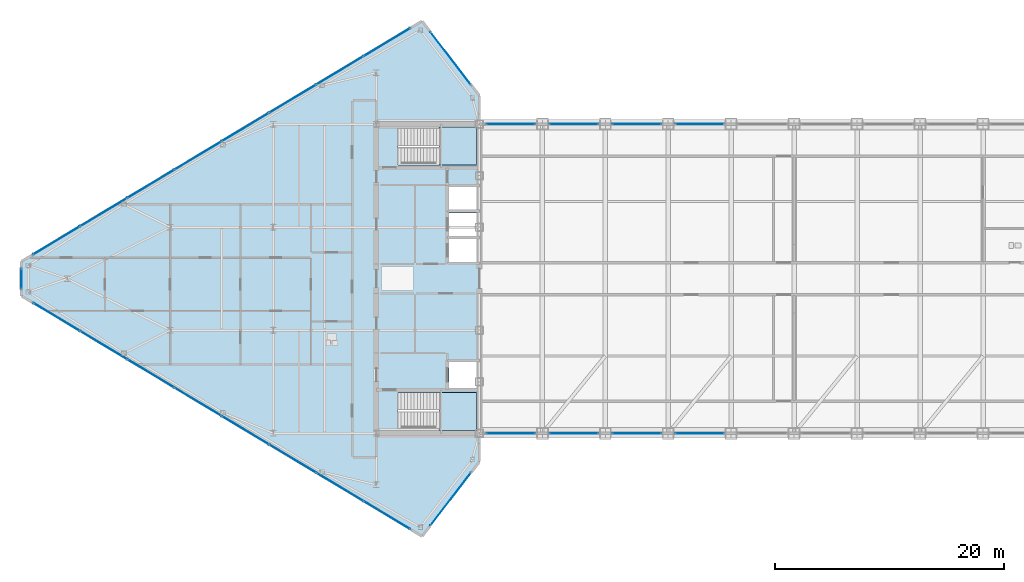
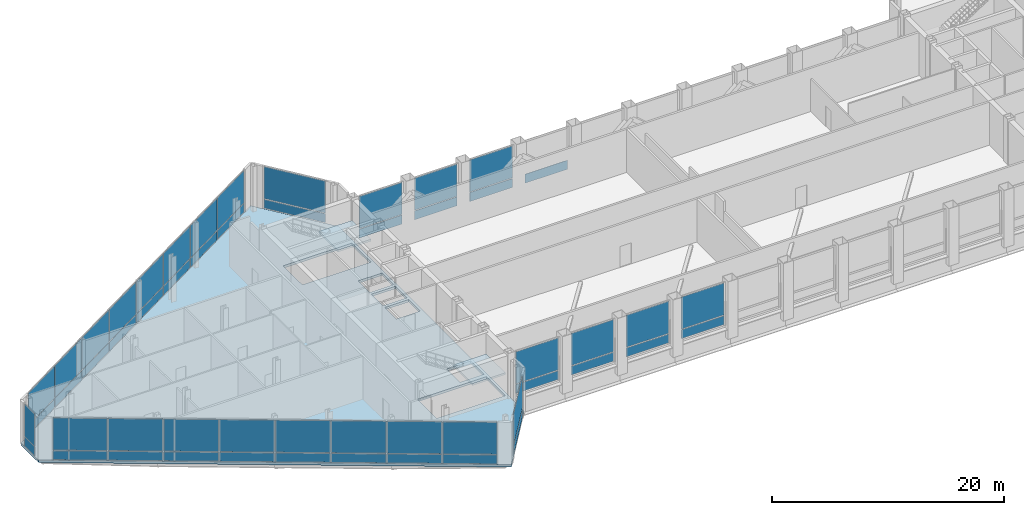
# One storey, part 19 of 29: 53 plates, 3 slabs, 15 elements without a shape of their own.
"""IFC4 building model written with IfcOpenShell, lengths in metres."""

from ifc_helpers import new_model, si_unit, direction, frame, origin, origin_2d, place, context, subcontext, project, spatial, polyline, rectangle, outline, extrude, source, transform, mapped, material, layer, layer_set, type_object, type_shapes, element, aggregate, save


model = new_model("IFC4")

# Units and contexts
model_context = context("Model", 3, precision=1e-05, world=origin(), true_north=direction((0.0, 1.0)))
body_context = subcontext(model_context, "Body", "Model", "MODEL_VIEW")
ifc_project = project(units=[si_unit("LENGTHUNIT", "METRE"), si_unit("AREAUNIT", "SQUARE_METRE"), si_unit("VOLUMEUNIT", "CUBIC_METRE"), si_unit("PLANEANGLEUNIT", "RADIAN"), si_unit("MASSUNIT", "GRAM", prefix="KILO")], contexts=[model_context])

# Site, building, storey
site_placement = place(None, origin())
site = spatial("IfcSite", under=ifc_project, at=site_placement, CompositionType="ELEMENT")
building_placement = place(site_placement, origin())
building = spatial("IfcBuilding", under=site, at=building_placement, Name="Seokmaru Belvedere", CompositionType="ELEMENT")
storey_placement = place(building_placement, frame((0.0, 0.0, 229.800048828125)))
storey = spatial("IfcBuildingStorey", under=building, at=storey_placement, Name="L61", CompositionType="ELEMENT", Elevation=229.800048828125)

# Slab
ifc_material_1 = material(Name="Concrete C50 (50 MPa)", Category="concrete")
ifc_layer_1 = layer(ifc_material_1, 0.260009765625)
ifc_layer_set_1 = layer_set([ifc_layer_1], Name="Concrete C50 (50 MPa)")
slab_type_1 = type_object("IfcSlabType", Name="Refuge and Sky-Gate Heavy Floor Slab 260", PredefinedType="FLOOR", material=ifc_layer_set_1)
slab_1_placement = place(storey_placement, frame((0.0, 0.0, -0.260009765625)))
element("IfcSlab", 1, at=slab_1_placement, inside=storey, type_object=slab_type_1, Name="L61 West Leg Floor Slab", PredefinedType="FLOOR", context=body_context, shape_type="SweptSolid", body=[
    extrude(outline(polyline([(-27.5, -16.0), (-27.5, 16.0), (-32.5, 22.5), (-67.5, 1.5), (-67.5, -1.5), (-32.5, -22.5), (-27.5, -16.0)]), holes=[polyline([(-34.60009765625, -13.25), (-27.75, -13.25), (-27.75, -9.949951171875), (-34.60009765625, -9.949951171875), (-34.60009765625, -13.25)]), polyline([(-34.60009765625, 9.949951171875), (-27.75, 9.949951171875), (-27.75, 13.25), (-34.60009765625, 13.25), (-34.60009765625, 9.949951171875)]), polyline([(-30.14990234375, -9.550048828125), (-27.75, -9.550048828125), (-27.75, -7.25), (-30.14990234375, -7.25), (-30.14990234375, -9.550048828125)]), polyline([(-30.14990234375, 1.449951171875), (-27.75, 1.449951171875), (-27.75, 3.449951171875), (-30.14990234375, 3.449951171875), (-30.14990234375, 1.449951171875)]), polyline([(-30.14990234375, 3.75), (-27.75, 3.75), (-27.75, 5.75), (-30.14990234375, 5.75), (-30.14990234375, 3.75)]), polyline([(-30.14990234375, 6.050048828125), (-27.75, 6.050048828125), (-27.75, 8.050048828125), (-30.14990234375, 8.050048828125), (-30.14990234375, 6.050048828125)])]), origin(), (0.0, 0.0, 1.0), 0.260009765625),
])

# Stair, slab
ifc_material_2 = material(Name="Concrete C40 (40 MPa)", Category="concrete")
stair_type = type_object("IfcStairType", Name="Basement Core Dog-Leg Stair 4800", PredefinedType="TWO_STRAIGHT_RUN_STAIR", material=ifc_material_2)
stair_1_placement = place(storey_placement, origin())
stair_1 = element("IfcStair", 2, at=stair_1_placement, inside=storey, type_object=stair_type, Name="L61 Special Escape Stair ST-W1", PredefinedType="TWO_STRAIGHT_RUN_STAIR")
ifc_layer_2 = layer(ifc_material_2, 0.199951171875)
ifc_layer_set_2 = layer_set([ifc_layer_2], Name="Concrete C40 (40 MPa)")
slab_type_2 = type_object("IfcSlabType", Name="Reinforced Concrete Stair Landing Slab 200", PredefinedType="LANDING", material=ifc_layer_set_2)
slab_2_placement = place(storey_placement, frame((0.0, 0.0, 2.199951171875)))
slab_2 = element("IfcSlab", 3, at=slab_2_placement, type_object=slab_type_2, Name="ST-W1 landing 1", PredefinedType="LANDING", context=body_context, shape_type="SweptSolid", body=[
    extrude(outline(polyline([(-31.0400390625, -13.239990234375), (-27.760009765625, -13.239990234375), (-27.760009765625, -9.949951171875), (-31.0400390625, -9.949951171875), (-31.0400390625, -13.239990234375)])), origin(), (0.0, 0.0, 1.0), 0.199951171875),
])
aggregate(stair_1, [slab_2])

stair_2_placement = place(storey_placement, origin())
stair_2 = element("IfcStair", 4, at=stair_2_placement, inside=storey, type_object=stair_type, Name="L61 Special Escape Stair ST-W2", PredefinedType="TWO_STRAIGHT_RUN_STAIR")
slab_3_placement = place(storey_placement, frame((0.0, 0.0, 2.199951171875)))
slab_3 = element("IfcSlab", 5, at=slab_3_placement, type_object=slab_type_2, Name="ST-W2 landing 1", PredefinedType="LANDING", context=body_context, shape_type="SweptSolid", body=[
    extrude(outline(polyline([(-31.0400390625, 9.949951171875), (-27.760009765625, 9.949951171875), (-27.760009765625, 13.239990234375), (-31.0400390625, 13.239990234375), (-31.0400390625, 9.949951171875)])), origin(), (0.0, 0.0, 1.0), 0.199951171875),
])
aggregate(stair_2, [slab_3])

# Curtain wall, plate
ifc_material_3 = material(Name="Bronze Triple Insulating Glass", Category="glass")
ifc_layer_3 = layer(ifc_material_3, 0.219970703125)
ifc_layer_set_3 = layer_set([ifc_layer_3], Name="Bronze Triple Insulating Glass")
curtain_wall_type = type_object("IfcCurtainWallType", Name="Sky-Gate Bridge Panorama Curtain Wall System CW-6", PredefinedType="NOTDEFINED", material=ifc_layer_set_3)
curtain_wall_1_placement = place(storey_placement, origin())
curtain_wall_1 = element("IfcCurtainWall", 6, at=curtain_wall_1_placement, inside=storey, type_object=curtain_wall_type, Name="L61 Curtain Wall WF2", PredefinedType="NOTDEFINED")
ifc_layer_4 = layer(ifc_material_3, 0.048095703125)
ifc_layer_set_4 = layer_set([ifc_layer_4], Name="Bronze Triple Insulating Glass")
plate_type_1 = type_object("IfcPlateType", Name="Insulated Bronze Spandrel Glazing Panel 48", PredefinedType="CURTAIN_PANEL", material=ifc_layer_set_4)
shared_shape_1 = source(origin(), body_context, "Body", "SweptSolid", [
    extrude(rectangle(XDim=5.740478515625, YDim=0.0419921875, at=origin_2d()), origin(), (0.0, 0.0, 1.0), 0.9375),
])
plate_1_placement = place(storey_placement, frame((-30.0, 19.25, 0.074951171875), z_axis=(0.0, 0.0, 1.0), x_axis=(-0.609701187349, 0.792631353244, 0.0)))
plate_1 = element("IfcPlate", 7, at=plate_1_placement, type_object=plate_type_1, Name="CW:L61:WF2 Glazing Panel 1-1", PredefinedType="CURTAIN_PANEL", context=body_context, shape_type="MappedRepresentation", body=[
    mapped(shared_shape_1, transform((0.0, 0.0, 0.0), scale=1.0)),
])

curtain_wall_2_placement = place(storey_placement, origin())
curtain_wall_2 = element("IfcCurtainWall", 8, at=curtain_wall_2_placement, inside=storey, type_object=curtain_wall_type, Name="L61 Curtain Wall WF6", PredefinedType="NOTDEFINED")
plate_2_placement = place(storey_placement, frame((-30.0, -19.25, 0.074951171875), z_axis=(0.0, 0.0, 1.0), x_axis=(0.609701187349, 0.792631353244, 0.0)))
plate_2 = element("IfcPlate", 9, at=plate_2_placement, type_object=plate_type_1, Name="CW:L61:WF6 Glazing Panel 1-1", PredefinedType="CURTAIN_PANEL", context=body_context, shape_type="MappedRepresentation", body=[
    mapped(shared_shape_1, transform((0.0, 0.0, 0.0), scale=1.0)),
])

# Plate
ifc_layer_5 = layer(ifc_material_3, 0.0419921875)
ifc_layer_set_5 = layer_set([ifc_layer_5], Name="Bronze Triple Insulating Glass")
plate_type_2 = type_object("IfcPlateType", Name="Acoustic Laminated Panorama Glazing Panel 42", PredefinedType="CURTAIN_PANEL", material=ifc_layer_set_5)
shared_shape_2 = source(origin(), body_context, "Body", "SweptSolid", [
    extrude(rectangle(XDim=5.740478515625, YDim=0.0419921875, at=origin_2d()), origin(), (0.0, 0.0, 1.0), 3.37744140625),
])
plate_3_placement = place(storey_placement, frame((-30.0, 19.25, 1.08740234375), z_axis=(0.0, 0.0, 1.0), x_axis=(-0.609701187349, 0.792631353244, 0.0)))
plate_3 = element("IfcPlate", 10, at=plate_3_placement, type_object=plate_type_2, Name="CW:L61:WF2 Glazing Panel 1-2", PredefinedType="CURTAIN_PANEL", context=body_context, shape_type="MappedRepresentation", body=[
    mapped(shared_shape_2, transform((0.0, 0.0, 0.0), scale=1.0)),
])

aggregate(curtain_wall_1, [plate_1, plate_3])

plate_4_placement = place(storey_placement, frame((-30.0, -19.25, 1.08740234375), z_axis=(0.0, 0.0, 1.0), x_axis=(0.609701187349, 0.792631353244, 0.0)))
plate_4 = element("IfcPlate", 11, at=plate_4_placement, type_object=plate_type_2, Name="CW:L61:WF6 Glazing Panel 1-2", PredefinedType="CURTAIN_PANEL", context=body_context, shape_type="MappedRepresentation", body=[
    mapped(shared_shape_2, transform((0.0, 0.0, 0.0), scale=1.0)),
])

aggregate(curtain_wall_2, [plate_2, plate_4])

# Curtain wall, plates
curtain_wall_3_placement = place(storey_placement, origin())
curtain_wall_3 = element("IfcCurtainWall", 12, at=curtain_wall_3_placement, inside=storey, type_object=curtain_wall_type, Name="L61 Curtain Wall WF3", PredefinedType="NOTDEFINED")
shared_shape_3 = source(origin(), body_context, "Body", "SweptSolid", [
    extrude(rectangle(XDim=4.694580078125, YDim=0.0419921875, at=origin_2d()), origin(), (0.0, 0.0, 1.0), 0.9375),
])
plate_5_placement = place(storey_placement, frame((-35.5673828125, 20.659423828125, 0.074951171875), z_axis=(0.0, 0.0, 1.0), x_axis=(-0.85749343335, -0.514494909364, 0.0)))
plate_5 = element("IfcPlate", 13, at=plate_5_placement, type_object=plate_type_1, Name="CW:L61:WF3 Glazing Panel 1-1", PredefinedType="CURTAIN_PANEL", context=body_context, shape_type="MappedRepresentation", body=[
    mapped(shared_shape_3, transform((0.0, 0.0, 0.0), scale=1.0)),
])
plate_6_placement = place(storey_placement, frame((-64.4326171875, 3.340576171875, 0.074951171875), z_axis=(0.0, 0.0, 1.0), x_axis=(-0.85749343335, -0.514494909364, 0.0)))
plate_6 = element("IfcPlate", 14, at=plate_6_placement, type_object=plate_type_1, Name="CW:L61:WF3 Glazing Panel 8-1", PredefinedType="CURTAIN_PANEL", context=body_context, shape_type="MappedRepresentation", body=[
    mapped(shared_shape_3, transform((0.0, 0.0, 0.0), scale=1.0)),
])

curtain_wall_4_placement = place(storey_placement, origin())
curtain_wall_4 = element("IfcCurtainWall", 15, at=curtain_wall_4_placement, inside=storey, type_object=curtain_wall_type, Name="L61 Curtain Wall WF5", PredefinedType="NOTDEFINED")
plate_7_placement = place(storey_placement, frame((-64.4326171875, -3.340576171875, 0.074951171875), z_axis=(0.0, 0.0, 1.0), x_axis=(0.85749343335, -0.514494909364, 0.0)))
plate_7 = element("IfcPlate", 16, at=plate_7_placement, type_object=plate_type_1, Name="CW:L61:WF5 Glazing Panel 1-1", PredefinedType="CURTAIN_PANEL", context=body_context, shape_type="MappedRepresentation", body=[
    mapped(shared_shape_3, transform((0.0, 0.0, 0.0), scale=1.0)),
])
plate_8_placement = place(storey_placement, frame((-35.5673828125, -20.659423828125, 0.074951171875), z_axis=(0.0, 0.0, 1.0), x_axis=(0.85749343335, -0.514494909364, 0.0)))
plate_8 = element("IfcPlate", 17, at=plate_8_placement, type_object=plate_type_1, Name="CW:L61:WF5 Glazing Panel 8-1", PredefinedType="CURTAIN_PANEL", context=body_context, shape_type="MappedRepresentation", body=[
    mapped(shared_shape_3, transform((0.0, 0.0, 0.0), scale=1.0)),
])

# Plate
shared_shape_4 = source(origin(), body_context, "Body", "SweptSolid", [
    extrude(rectangle(XDim=4.694580078125, YDim=0.0419921875, at=origin_2d()), origin(), (0.0, 0.0, 1.0), 3.37744140625),
])
plate_9_placement = place(storey_placement, frame((-35.5673828125, 20.659423828125, 1.08740234375), z_axis=(0.0, 0.0, 1.0), x_axis=(-0.85749343335, -0.514494909364, 0.0)))
plate_9 = element("IfcPlate", 18, at=plate_9_placement, type_object=plate_type_2, Name="CW:L61:WF3 Glazing Panel 1-2", PredefinedType="CURTAIN_PANEL", context=body_context, shape_type="MappedRepresentation", body=[
    mapped(shared_shape_4, transform((0.0, 0.0, 0.0), scale=1.0)),
])

plate_10_placement = place(storey_placement, frame((-64.4326171875, 3.340576171875, 1.08740234375), z_axis=(0.0, 0.0, 1.0), x_axis=(-0.85749343335, -0.514494909364, 0.0)))
plate_10 = element("IfcPlate", 19, at=plate_10_placement, type_object=plate_type_2, Name="CW:L61:WF3 Glazing Panel 8-2", PredefinedType="CURTAIN_PANEL", context=body_context, shape_type="MappedRepresentation", body=[
    mapped(shared_shape_4, transform((0.0, 0.0, 0.0), scale=1.0)),
])

plate_11_placement = place(storey_placement, frame((-64.4326171875, -3.340576171875, 1.08740234375), z_axis=(0.0, 0.0, 1.0), x_axis=(0.85749343335, -0.514494909364, 0.0)))
plate_11 = element("IfcPlate", 20, at=plate_11_placement, type_object=plate_type_2, Name="CW:L61:WF5 Glazing Panel 1-2", PredefinedType="CURTAIN_PANEL", context=body_context, shape_type="MappedRepresentation", body=[
    mapped(shared_shape_4, transform((0.0, 0.0, 0.0), scale=1.0)),
])

plate_12_placement = place(storey_placement, frame((-35.5673828125, -20.659423828125, 1.08740234375), z_axis=(0.0, 0.0, 1.0), x_axis=(0.85749343335, -0.514494909364, 0.0)))
plate_12 = element("IfcPlate", 21, at=plate_12_placement, type_object=plate_type_2, Name="CW:L61:WF5 Glazing Panel 8-2", PredefinedType="CURTAIN_PANEL", context=body_context, shape_type="MappedRepresentation", body=[
    mapped(shared_shape_4, transform((0.0, 0.0, 0.0), scale=1.0)),
])

shared_shape_5 = source(origin(), body_context, "Body", "SweptSolid", [
    extrude(rectangle(XDim=4.734619140625, YDim=0.0419921875, at=origin_2d()), origin(), (0.0, 0.0, 1.0), 0.9375),
])
plate_13_placement = place(storey_placement, frame((-39.6787109375, 18.192626953125, 0.074951171875), z_axis=(0.0, 0.0, 1.0), x_axis=(-0.85749343335, -0.514494909364, 0.0)))
plate_13 = element("IfcPlate", 22, at=plate_13_placement, type_object=plate_type_1, Name="CW:L61:WF3 Glazing Panel 2-1", PredefinedType="CURTAIN_PANEL", context=body_context, shape_type="MappedRepresentation", body=[
    mapped(shared_shape_5, transform((0.0, 0.0, 0.0), scale=1.0)),
])

plate_14_placement = place(storey_placement, frame((-43.807373046875, 15.715576171875, 0.074951171875), z_axis=(0.0, 0.0, 1.0), x_axis=(-0.85749343335, -0.514494909364, 0.0)))
plate_14 = element("IfcPlate", 23, at=plate_14_placement, type_object=plate_type_1, Name="CW:L61:WF3 Glazing Panel 3-1", PredefinedType="CURTAIN_PANEL", context=body_context, shape_type="MappedRepresentation", body=[
    mapped(shared_shape_5, transform((0.0, 0.0, 0.0), scale=1.0)),
])

plate_15_placement = place(storey_placement, frame((-47.935791015625, 13.238525390625, 0.074951171875), z_axis=(0.0, 0.0, 1.0), x_axis=(-0.85749343335, -0.514494909364, 0.0)))
plate_15 = element("IfcPlate", 24, at=plate_15_placement, type_object=plate_type_1, Name="CW:L61:WF3 Glazing Panel 4-1", PredefinedType="CURTAIN_PANEL", context=body_context, shape_type="MappedRepresentation", body=[
    mapped(shared_shape_5, transform((0.0, 0.0, 0.0), scale=1.0)),
])

plate_16_placement = place(storey_placement, frame((-52.064208984375, 10.761474609375, 0.074951171875), z_axis=(0.0, 0.0, 1.0), x_axis=(-0.85749343335, -0.514494909364, 0.0)))
plate_16 = element("IfcPlate", 25, at=plate_16_placement, type_object=plate_type_1, Name="CW:L61:WF3 Glazing Panel 5-1", PredefinedType="CURTAIN_PANEL", context=body_context, shape_type="MappedRepresentation", body=[
    mapped(shared_shape_5, transform((0.0, 0.0, 0.0), scale=1.0)),
])

plate_17_placement = place(storey_placement, frame((-56.192626953125, 8.284423828125, 0.074951171875), z_axis=(0.0, 0.0, 1.0), x_axis=(-0.85749343335, -0.514494909364, 0.0)))
plate_17 = element("IfcPlate", 26, at=plate_17_placement, type_object=plate_type_1, Name="CW:L61:WF3 Glazing Panel 6-1", PredefinedType="CURTAIN_PANEL", context=body_context, shape_type="MappedRepresentation", body=[
    mapped(shared_shape_5, transform((0.0, 0.0, 0.0), scale=1.0)),
])

plate_18_placement = place(storey_placement, frame((-60.3212890625, 5.807373046875, 0.074951171875), z_axis=(0.0, 0.0, 1.0), x_axis=(-0.85749343335, -0.514494909364, 0.0)))
plate_18 = element("IfcPlate", 27, at=plate_18_placement, type_object=plate_type_1, Name="CW:L61:WF3 Glazing Panel 7-1", PredefinedType="CURTAIN_PANEL", context=body_context, shape_type="MappedRepresentation", body=[
    mapped(shared_shape_5, transform((0.0, 0.0, 0.0), scale=1.0)),
])

plate_19_placement = place(storey_placement, frame((-60.3212890625, -5.807373046875, 0.074951171875), z_axis=(0.0, 0.0, 1.0), x_axis=(0.85749343335, -0.514494909364, 0.0)))
plate_19 = element("IfcPlate", 28, at=plate_19_placement, type_object=plate_type_1, Name="CW:L61:WF5 Glazing Panel 2-1", PredefinedType="CURTAIN_PANEL", context=body_context, shape_type="MappedRepresentation", body=[
    mapped(shared_shape_5, transform((0.0, 0.0, 0.0), scale=1.0)),
])

plate_20_placement = place(storey_placement, frame((-56.192626953125, -8.284423828125, 0.074951171875), z_axis=(0.0, 0.0, 1.0), x_axis=(0.85749343335, -0.514494909364, 0.0)))
plate_20 = element("IfcPlate", 29, at=plate_20_placement, type_object=plate_type_1, Name="CW:L61:WF5 Glazing Panel 3-1", PredefinedType="CURTAIN_PANEL", context=body_context, shape_type="MappedRepresentation", body=[
    mapped(shared_shape_5, transform((0.0, 0.0, 0.0), scale=1.0)),
])

plate_21_placement = place(storey_placement, frame((-52.064208984375, -10.761474609375, 0.074951171875), z_axis=(0.0, 0.0, 1.0), x_axis=(0.85749343335, -0.514494909364, 0.0)))
plate_21 = element("IfcPlate", 30, at=plate_21_placement, type_object=plate_type_1, Name="CW:L61:WF5 Glazing Panel 4-1", PredefinedType="CURTAIN_PANEL", context=body_context, shape_type="MappedRepresentation", body=[
    mapped(shared_shape_5, transform((0.0, 0.0, 0.0), scale=1.0)),
])

plate_22_placement = place(storey_placement, frame((-47.935791015625, -13.238525390625, 0.074951171875), z_axis=(0.0, 0.0, 1.0), x_axis=(0.85749343335, -0.514494909364, 0.0)))
plate_22 = element("IfcPlate", 31, at=plate_22_placement, type_object=plate_type_1, Name="CW:L61:WF5 Glazing Panel 5-1", PredefinedType="CURTAIN_PANEL", context=body_context, shape_type="MappedRepresentation", body=[
    mapped(shared_shape_5, transform((0.0, 0.0, 0.0), scale=1.0)),
])

plate_23_placement = place(storey_placement, frame((-43.807373046875, -15.715576171875, 0.074951171875), z_axis=(0.0, 0.0, 1.0), x_axis=(0.85749343335, -0.514494909364, 0.0)))
plate_23 = element("IfcPlate", 32, at=plate_23_placement, type_object=plate_type_1, Name="CW:L61:WF5 Glazing Panel 6-1", PredefinedType="CURTAIN_PANEL", context=body_context, shape_type="MappedRepresentation", body=[
    mapped(shared_shape_5, transform((0.0, 0.0, 0.0), scale=1.0)),
])

plate_24_placement = place(storey_placement, frame((-39.6787109375, -18.192626953125, 0.074951171875), z_axis=(0.0, 0.0, 1.0), x_axis=(0.85749343335, -0.514494909364, 0.0)))
plate_24 = element("IfcPlate", 33, at=plate_24_placement, type_object=plate_type_1, Name="CW:L61:WF5 Glazing Panel 7-1", PredefinedType="CURTAIN_PANEL", context=body_context, shape_type="MappedRepresentation", body=[
    mapped(shared_shape_5, transform((0.0, 0.0, 0.0), scale=1.0)),
])

shared_shape_6 = source(origin(), body_context, "Body", "SweptSolid", [
    extrude(rectangle(XDim=4.734619140625, YDim=0.0419921875, at=origin_2d()), origin(), (0.0, 0.0, 1.0), 3.37744140625),
])
plate_25_placement = place(storey_placement, frame((-39.6787109375, 18.192626953125, 1.08740234375), z_axis=(0.0, 0.0, 1.0), x_axis=(-0.85749343335, -0.514494909364, 0.0)))
plate_25 = element("IfcPlate", 34, at=plate_25_placement, type_object=plate_type_2, Name="CW:L61:WF3 Glazing Panel 2-2", PredefinedType="CURTAIN_PANEL", context=body_context, shape_type="MappedRepresentation", body=[
    mapped(shared_shape_6, transform((0.0, 0.0, 0.0), scale=1.0)),
])

plate_26_placement = place(storey_placement, frame((-43.807373046875, 15.715576171875, 1.08740234375), z_axis=(0.0, 0.0, 1.0), x_axis=(-0.85749343335, -0.514494909364, 0.0)))
plate_26 = element("IfcPlate", 35, at=plate_26_placement, type_object=plate_type_2, Name="CW:L61:WF3 Glazing Panel 3-2", PredefinedType="CURTAIN_PANEL", context=body_context, shape_type="MappedRepresentation", body=[
    mapped(shared_shape_6, transform((0.0, 0.0, 0.0), scale=1.0)),
])

plate_27_placement = place(storey_placement, frame((-47.935791015625, 13.238525390625, 1.08740234375), z_axis=(0.0, 0.0, 1.0), x_axis=(-0.85749343335, -0.514494909364, 0.0)))
plate_27 = element("IfcPlate", 36, at=plate_27_placement, type_object=plate_type_2, Name="CW:L61:WF3 Glazing Panel 4-2", PredefinedType="CURTAIN_PANEL", context=body_context, shape_type="MappedRepresentation", body=[
    mapped(shared_shape_6, transform((0.0, 0.0, 0.0), scale=1.0)),
])

plate_28_placement = place(storey_placement, frame((-52.064208984375, 10.761474609375, 1.08740234375), z_axis=(0.0, 0.0, 1.0), x_axis=(-0.85749343335, -0.514494909364, 0.0)))
plate_28 = element("IfcPlate", 37, at=plate_28_placement, type_object=plate_type_2, Name="CW:L61:WF3 Glazing Panel 5-2", PredefinedType="CURTAIN_PANEL", context=body_context, shape_type="MappedRepresentation", body=[
    mapped(shared_shape_6, transform((0.0, 0.0, 0.0), scale=1.0)),
])

plate_29_placement = place(storey_placement, frame((-56.192626953125, 8.284423828125, 1.08740234375), z_axis=(0.0, 0.0, 1.0), x_axis=(-0.85749343335, -0.514494909364, 0.0)))
plate_29 = element("IfcPlate", 38, at=plate_29_placement, type_object=plate_type_2, Name="CW:L61:WF3 Glazing Panel 6-2", PredefinedType="CURTAIN_PANEL", context=body_context, shape_type="MappedRepresentation", body=[
    mapped(shared_shape_6, transform((0.0, 0.0, 0.0), scale=1.0)),
])

plate_30_placement = place(storey_placement, frame((-60.3212890625, 5.807373046875, 1.08740234375), z_axis=(0.0, 0.0, 1.0), x_axis=(-0.85749343335, -0.514494909364, 0.0)))
plate_30 = element("IfcPlate", 39, at=plate_30_placement, type_object=plate_type_2, Name="CW:L61:WF3 Glazing Panel 7-2", PredefinedType="CURTAIN_PANEL", context=body_context, shape_type="MappedRepresentation", body=[
    mapped(shared_shape_6, transform((0.0, 0.0, 0.0), scale=1.0)),
])

aggregate(curtain_wall_3, [plate_5, plate_9, plate_13, plate_25, plate_14, plate_26, plate_15, plate_27, plate_16, plate_28, plate_17, plate_29, plate_18, plate_30, plate_6, plate_10])

plate_31_placement = place(storey_placement, frame((-60.3212890625, -5.807373046875, 1.08740234375), z_axis=(0.0, 0.0, 1.0), x_axis=(0.85749343335, -0.514494909364, 0.0)))
plate_31 = element("IfcPlate", 40, at=plate_31_placement, type_object=plate_type_2, Name="CW:L61:WF5 Glazing Panel 2-2", PredefinedType="CURTAIN_PANEL", context=body_context, shape_type="MappedRepresentation", body=[
    mapped(shared_shape_6, transform((0.0, 0.0, 0.0), scale=1.0)),
])

plate_32_placement = place(storey_placement, frame((-56.192626953125, -8.284423828125, 1.08740234375), z_axis=(0.0, 0.0, 1.0), x_axis=(0.85749343335, -0.514494909364, 0.0)))
plate_32 = element("IfcPlate", 41, at=plate_32_placement, type_object=plate_type_2, Name="CW:L61:WF5 Glazing Panel 3-2", PredefinedType="CURTAIN_PANEL", context=body_context, shape_type="MappedRepresentation", body=[
    mapped(shared_shape_6, transform((0.0, 0.0, 0.0), scale=1.0)),
])

plate_33_placement = place(storey_placement, frame((-52.064208984375, -10.761474609375, 1.08740234375), z_axis=(0.0, 0.0, 1.0), x_axis=(0.85749343335, -0.514494909364, 0.0)))
plate_33 = element("IfcPlate", 42, at=plate_33_placement, type_object=plate_type_2, Name="CW:L61:WF5 Glazing Panel 4-2", PredefinedType="CURTAIN_PANEL", context=body_context, shape_type="MappedRepresentation", body=[
    mapped(shared_shape_6, transform((0.0, 0.0, 0.0), scale=1.0)),
])

plate_34_placement = place(storey_placement, frame((-47.935791015625, -13.238525390625, 1.08740234375), z_axis=(0.0, 0.0, 1.0), x_axis=(0.85749343335, -0.514494909364, 0.0)))
plate_34 = element("IfcPlate", 43, at=plate_34_placement, type_object=plate_type_2, Name="CW:L61:WF5 Glazing Panel 5-2", PredefinedType="CURTAIN_PANEL", context=body_context, shape_type="MappedRepresentation", body=[
    mapped(shared_shape_6, transform((0.0, 0.0, 0.0), scale=1.0)),
])

plate_35_placement = place(storey_placement, frame((-43.807373046875, -15.715576171875, 1.08740234375), z_axis=(0.0, 0.0, 1.0), x_axis=(0.85749343335, -0.514494909364, 0.0)))
plate_35 = element("IfcPlate", 44, at=plate_35_placement, type_object=plate_type_2, Name="CW:L61:WF5 Glazing Panel 6-2", PredefinedType="CURTAIN_PANEL", context=body_context, shape_type="MappedRepresentation", body=[
    mapped(shared_shape_6, transform((0.0, 0.0, 0.0), scale=1.0)),
])

plate_36_placement = place(storey_placement, frame((-39.6787109375, -18.192626953125, 1.08740234375), z_axis=(0.0, 0.0, 1.0), x_axis=(0.85749343335, -0.514494909364, 0.0)))
plate_36 = element("IfcPlate", 45, at=plate_36_placement, type_object=plate_type_2, Name="CW:L61:WF5 Glazing Panel 7-2", PredefinedType="CURTAIN_PANEL", context=body_context, shape_type="MappedRepresentation", body=[
    mapped(shared_shape_6, transform((0.0, 0.0, 0.0), scale=1.0)),
])

aggregate(curtain_wall_4, [plate_7, plate_11, plate_19, plate_31, plate_20, plate_32, plate_21, plate_33, plate_22, plate_34, plate_23, plate_35, plate_24, plate_36, plate_8, plate_12])

# Curtain wall, plates
curtain_wall_5_placement = place(storey_placement, origin())
curtain_wall_5 = element("IfcCurtainWall", 46, at=curtain_wall_5_placement, inside=storey, type_object=curtain_wall_type, Name="L61 Curtain Wall WF4", PredefinedType="NOTDEFINED")
shared_shape_7 = source(origin(), body_context, "Body", "SweptSolid", [
    extrude(rectangle(XDim=1.739990234375, YDim=0.0419921875, at=origin_2d()), origin(), (0.0, 0.0, 1.0), 0.9375),
])
plate_37_placement = place(storey_placement, frame((-67.5, 0.0, 0.074951171875), z_axis=(0.0, 0.0, 1.0), x_axis=(0.0, -1.0, 0.0)))
plate_37 = element("IfcPlate", 47, at=plate_37_placement, type_object=plate_type_1, Name="CW:L61:WF4 Glazing Panel 1-1", PredefinedType="CURTAIN_PANEL", context=body_context, shape_type="MappedRepresentation", body=[
    mapped(shared_shape_7, transform((0.0, 0.0, 0.0), scale=1.0)),
])
shared_shape_8 = source(origin(), body_context, "Body", "SweptSolid", [
    extrude(rectangle(XDim=1.739990234375, YDim=0.0419921875, at=origin_2d()), origin(), (0.0, 0.0, 1.0), 3.37744140625),
])
plate_38_placement = place(storey_placement, frame((-67.5, 0.0, 1.08740234375), z_axis=(0.0, 0.0, 1.0), x_axis=(0.0, -1.0, 0.0)))
plate_38 = element("IfcPlate", 48, at=plate_38_placement, type_object=plate_type_2, Name="CW:L61:WF4 Glazing Panel 1-2", PredefinedType="CURTAIN_PANEL", context=body_context, shape_type="MappedRepresentation", body=[
    mapped(shared_shape_8, transform((0.0, 0.0, 0.0), scale=1.0)),
])
aggregate(curtain_wall_5, [plate_37, plate_38])

# Curtain wall, plate
curtain_wall_6_placement = place(storey_placement, origin())
curtain_wall_6 = element("IfcCurtainWall", 49, at=curtain_wall_6_placement, inside=storey, type_object=curtain_wall_type, Name="L61 Curtain Wall BR_S01", PredefinedType="NOTDEFINED")
shared_shape_9 = source(origin(), body_context, "Body", "SweptSolid", [
    extrude(rectangle(XDim=4.239990234375, YDim=0.0419921875, at=origin_2d()), origin(), (0.0, 0.0, 1.0), 0.9375),
])
type_shapes(plate_type_1, [shared_shape_1, shared_shape_3, shared_shape_5, shared_shape_7, shared_shape_9])
plate_39_placement = place(storey_placement, frame((-24.75, -13.5, 0.074951171875), z_axis=(0.0, 0.0, 1.0), x_axis=(1.0, 0.0, 0.0)))
plate_39 = element("IfcPlate", 50, at=plate_39_placement, type_object=plate_type_1, Name="CW:L61:BR_S01 Glazing Panel 1-1", PredefinedType="CURTAIN_PANEL", context=body_context, shape_type="MappedRepresentation", body=[
    mapped(shared_shape_9, transform((0.0, 0.0, 0.0), scale=1.0)),
])

curtain_wall_7_placement = place(storey_placement, origin())
curtain_wall_7 = element("IfcCurtainWall", 51, at=curtain_wall_7_placement, inside=storey, type_object=curtain_wall_type, Name="L61 Curtain Wall BR_N01", PredefinedType="NOTDEFINED")
plate_40_placement = place(storey_placement, frame((-24.75, 13.5, 0.074951171875), z_axis=(0.0, 0.0, 1.0), x_axis=(-1.0, 0.0, 0.0)))
plate_40 = element("IfcPlate", 52, at=plate_40_placement, type_object=plate_type_1, Name="CW:L61:BR_N01 Glazing Panel 1-1", PredefinedType="CURTAIN_PANEL", context=body_context, shape_type="MappedRepresentation", body=[
    mapped(shared_shape_9, transform((0.0, 0.0, 0.0), scale=1.0)),
])

curtain_wall_8_placement = place(storey_placement, origin())
curtain_wall_8 = element("IfcCurtainWall", 53, at=curtain_wall_8_placement, inside=storey, type_object=curtain_wall_type, Name="L61 Curtain Wall BR_S02", PredefinedType="NOTDEFINED")
plate_41_placement = place(storey_placement, frame((-19.25, -13.5, 0.074951171875), z_axis=(0.0, 0.0, 1.0), x_axis=(1.0, 0.0, 0.0)))
plate_41 = element("IfcPlate", 54, at=plate_41_placement, type_object=plate_type_1, Name="CW:L61:BR_S02 Glazing Panel 1-1", PredefinedType="CURTAIN_PANEL", context=body_context, shape_type="MappedRepresentation", body=[
    mapped(shared_shape_9, transform((0.0, 0.0, 0.0), scale=1.0)),
])

curtain_wall_9_placement = place(storey_placement, origin())
curtain_wall_9 = element("IfcCurtainWall", 55, at=curtain_wall_9_placement, inside=storey, type_object=curtain_wall_type, Name="L61 Curtain Wall BR_N02", PredefinedType="NOTDEFINED")
plate_42_placement = place(storey_placement, frame((-19.25, 13.5, 0.074951171875), z_axis=(0.0, 0.0, 1.0), x_axis=(-1.0, 0.0, 0.0)))
plate_42 = element("IfcPlate", 56, at=plate_42_placement, type_object=plate_type_1, Name="CW:L61:BR_N02 Glazing Panel 1-1", PredefinedType="CURTAIN_PANEL", context=body_context, shape_type="MappedRepresentation", body=[
    mapped(shared_shape_9, transform((0.0, 0.0, 0.0), scale=1.0)),
])

curtain_wall_10_placement = place(storey_placement, origin())
curtain_wall_10 = element("IfcCurtainWall", 57, at=curtain_wall_10_placement, inside=storey, type_object=curtain_wall_type, Name="L61 Curtain Wall BR_S03", PredefinedType="NOTDEFINED")
plate_43_placement = place(storey_placement, frame((-13.75, -13.5, 0.074951171875), z_axis=(0.0, 0.0, 1.0), x_axis=(1.0, 0.0, 0.0)))
plate_43 = element("IfcPlate", 58, at=plate_43_placement, type_object=plate_type_1, Name="CW:L61:BR_S03 Glazing Panel 1-1", PredefinedType="CURTAIN_PANEL", context=body_context, shape_type="MappedRepresentation", body=[
    mapped(shared_shape_9, transform((0.0, 0.0, 0.0), scale=1.0)),
])

curtain_wall_11_placement = place(storey_placement, origin())
curtain_wall_11 = element("IfcCurtainWall", 59, at=curtain_wall_11_placement, inside=storey, type_object=curtain_wall_type, Name="L61 Curtain Wall BR_N03", PredefinedType="NOTDEFINED")
plate_44_placement = place(storey_placement, frame((-13.75, 13.5, 0.074951171875), z_axis=(0.0, 0.0, 1.0), x_axis=(-1.0, 0.0, 0.0)))
plate_44 = element("IfcPlate", 60, at=plate_44_placement, type_object=plate_type_1, Name="CW:L61:BR_N03 Glazing Panel 1-1", PredefinedType="CURTAIN_PANEL", context=body_context, shape_type="MappedRepresentation", body=[
    mapped(shared_shape_9, transform((0.0, 0.0, 0.0), scale=1.0)),
])

curtain_wall_12_placement = place(storey_placement, origin())
curtain_wall_12 = element("IfcCurtainWall", 61, at=curtain_wall_12_placement, inside=storey, type_object=curtain_wall_type, Name="L61 Curtain Wall BR_S04", PredefinedType="NOTDEFINED")
plate_45_placement = place(storey_placement, frame((-8.25, -13.5, 0.074951171875), z_axis=(0.0, 0.0, 1.0), x_axis=(1.0, 0.0, 0.0)))
plate_45 = element("IfcPlate", 62, at=plate_45_placement, type_object=plate_type_1, Name="CW:L61:BR_S04 Glazing Panel 1-1", PredefinedType="CURTAIN_PANEL", context=body_context, shape_type="MappedRepresentation", body=[
    mapped(shared_shape_9, transform((0.0, 0.0, 0.0), scale=1.0)),
])

curtain_wall_13_placement = place(storey_placement, origin())
curtain_wall_13 = element("IfcCurtainWall", 63, at=curtain_wall_13_placement, inside=storey, type_object=curtain_wall_type, Name="L61 Curtain Wall BR_N04", PredefinedType="NOTDEFINED")
plate_46_placement = place(storey_placement, frame((-8.25, 13.5, 0.074951171875), z_axis=(0.0, 0.0, 1.0), x_axis=(-1.0, 0.0, 0.0)))
plate_46 = element("IfcPlate", 64, at=plate_46_placement, type_object=plate_type_1, Name="CW:L61:BR_N04 Glazing Panel 1-1", PredefinedType="CURTAIN_PANEL", context=body_context, shape_type="MappedRepresentation", body=[
    mapped(shared_shape_9, transform((0.0, 0.0, 0.0), scale=1.0)),
])
aggregate(curtain_wall_13, [plate_46])

# Plate
shared_shape_10 = source(origin(), body_context, "Body", "SweptSolid", [
    extrude(rectangle(XDim=4.239990234375, YDim=0.0419921875, at=origin_2d()), origin(), (0.0, 0.0, 1.0), 3.37744140625),
])
type_shapes(plate_type_2, [shared_shape_2, shared_shape_4, shared_shape_6, shared_shape_8, shared_shape_10])
plate_47_placement = place(storey_placement, frame((-24.75, -13.5, 1.08740234375), z_axis=(0.0, 0.0, 1.0), x_axis=(1.0, 0.0, 0.0)))
plate_47 = element("IfcPlate", 65, at=plate_47_placement, type_object=plate_type_2, Name="CW:L61:BR_S01 Glazing Panel 1-2", PredefinedType="CURTAIN_PANEL", context=body_context, shape_type="MappedRepresentation", body=[
    mapped(shared_shape_10, transform((0.0, 0.0, 0.0), scale=1.0)),
])

aggregate(curtain_wall_6, [plate_39, plate_47])

plate_48_placement = place(storey_placement, frame((-24.75, 13.5, 1.08740234375), z_axis=(0.0, 0.0, 1.0), x_axis=(-1.0, 0.0, 0.0)))
plate_48 = element("IfcPlate", 66, at=plate_48_placement, type_object=plate_type_2, Name="CW:L61:BR_N01 Glazing Panel 1-2", PredefinedType="CURTAIN_PANEL", context=body_context, shape_type="MappedRepresentation", body=[
    mapped(shared_shape_10, transform((0.0, 0.0, 0.0), scale=1.0)),
])

aggregate(curtain_wall_7, [plate_40, plate_48])

plate_49_placement = place(storey_placement, frame((-19.25, -13.5, 1.08740234375), z_axis=(0.0, 0.0, 1.0), x_axis=(1.0, 0.0, 0.0)))
plate_49 = element("IfcPlate", 67, at=plate_49_placement, type_object=plate_type_2, Name="CW:L61:BR_S02 Glazing Panel 1-2", PredefinedType="CURTAIN_PANEL", context=body_context, shape_type="MappedRepresentation", body=[
    mapped(shared_shape_10, transform((0.0, 0.0, 0.0), scale=1.0)),
])

aggregate(curtain_wall_8, [plate_41, plate_49])

plate_50_placement = place(storey_placement, frame((-19.25, 13.5, 1.08740234375), z_axis=(0.0, 0.0, 1.0), x_axis=(-1.0, 0.0, 0.0)))
plate_50 = element("IfcPlate", 68, at=plate_50_placement, type_object=plate_type_2, Name="CW:L61:BR_N02 Glazing Panel 1-2", PredefinedType="CURTAIN_PANEL", context=body_context, shape_type="MappedRepresentation", body=[
    mapped(shared_shape_10, transform((0.0, 0.0, 0.0), scale=1.0)),
])

aggregate(curtain_wall_9, [plate_42, plate_50])

plate_51_placement = place(storey_placement, frame((-13.75, -13.5, 1.08740234375), z_axis=(0.0, 0.0, 1.0), x_axis=(1.0, 0.0, 0.0)))
plate_51 = element("IfcPlate", 69, at=plate_51_placement, type_object=plate_type_2, Name="CW:L61:BR_S03 Glazing Panel 1-2", PredefinedType="CURTAIN_PANEL", context=body_context, shape_type="MappedRepresentation", body=[
    mapped(shared_shape_10, transform((0.0, 0.0, 0.0), scale=1.0)),
])

aggregate(curtain_wall_10, [plate_43, plate_51])

plate_52_placement = place(storey_placement, frame((-13.75, 13.5, 1.08740234375), z_axis=(0.0, 0.0, 1.0), x_axis=(-1.0, 0.0, 0.0)))
plate_52 = element("IfcPlate", 70, at=plate_52_placement, type_object=plate_type_2, Name="CW:L61:BR_N03 Glazing Panel 1-2", PredefinedType="CURTAIN_PANEL", context=body_context, shape_type="MappedRepresentation", body=[
    mapped(shared_shape_10, transform((0.0, 0.0, 0.0), scale=1.0)),
])

aggregate(curtain_wall_11, [plate_44, plate_52])

plate_53_placement = place(storey_placement, frame((-8.25, -13.5, 1.08740234375), z_axis=(0.0, 0.0, 1.0), x_axis=(1.0, 0.0, 0.0)))
plate_53 = element("IfcPlate", 71, at=plate_53_placement, type_object=plate_type_2, Name="CW:L61:BR_S04 Glazing Panel 1-2", PredefinedType="CURTAIN_PANEL", context=body_context, shape_type="MappedRepresentation", body=[
    mapped(shared_shape_10, transform((0.0, 0.0, 0.0), scale=1.0)),
])

aggregate(curtain_wall_12, [plate_45, plate_53])

save(model, "model.ifc")
